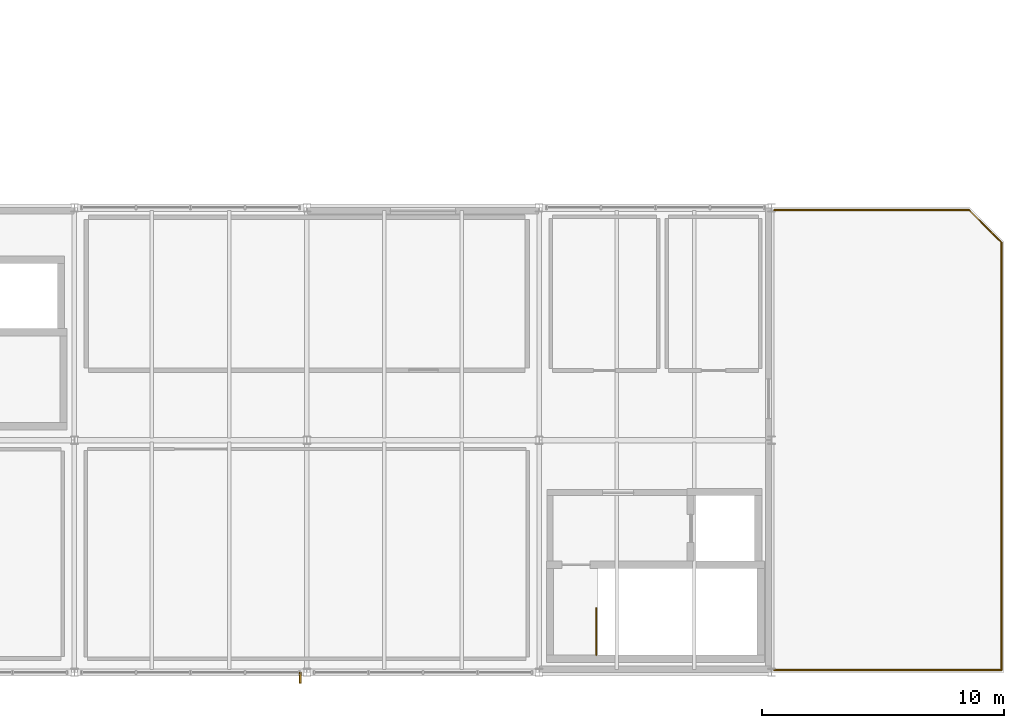
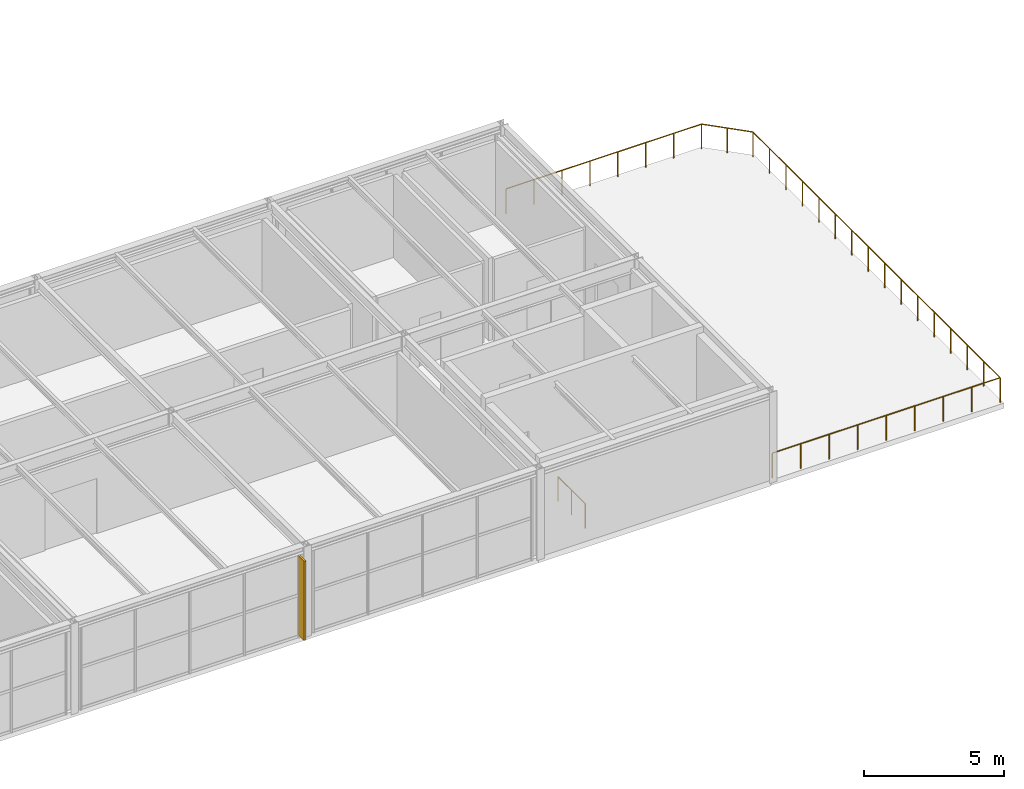
# One storey, part 50 of 50: 5 railings, 1 shading device.
"""IFC4 building model written with IfcOpenShell, lengths in metres."""

from ifc_helpers import new_model, si_unit, direction, frame, origin, origin_2d, place, context, subcontext, project, spatial, rectangle, circle, extrude, material, type_object, element, save


model = new_model("IFC4")

# Units and contexts
model_context = context("Model", 3, precision=1e-05, world=origin(), true_north=direction((0.0, 1.0)))
body_context = subcontext(model_context, "Body", "Model", "MODEL_VIEW")
ifc_project = project(units=[si_unit("LENGTHUNIT", "METRE"), si_unit("AREAUNIT", "SQUARE_METRE"), si_unit("VOLUMEUNIT", "CUBIC_METRE"), si_unit("PLANEANGLEUNIT", "RADIAN"), si_unit("MASSUNIT", "GRAM", prefix="KILO")], contexts=[model_context])

# Site, building, storey
site_placement = place(None, origin())
site = spatial("IfcSite", under=ifc_project, at=site_placement, CompositionType="ELEMENT")
building_placement = place(site_placement, origin())
building = spatial("IfcBuilding", under=site, at=building_placement, Name="Coralgate Yard Interchange", CompositionType="ELEMENT")
storey_placement = place(building_placement, frame((0.0, 0.0, 14.699951171875)))
storey = spatial("IfcBuildingStorey", under=building, at=storey_placement, Name="L03", CompositionType="ELEMENT", Elevation=14.699951171875)

# Railings
ifc_material_1 = material(Name="Grade 316 marine stainless steel and toughened glass balustrade", Category="steel")
railing_type_1 = type_object("IfcRailingType", Name="RLG-GD1100", PredefinedType="BALUSTRADE", material=ifc_material_1)
railing_1_placement = place(storey_placement, frame((79.14990234375, 0.719970703125, 0.0)))
element("IfcRailing", 1, at=railing_1_placement, inside=storey, type_object=railing_type_1, Name="L03 ST-04 top well guard 1", PredefinedType="BALUSTRADE", context=body_context, shape_type="SweptSolid", body=[
    extrude(circle(Radius=0.02392578125, at=origin_2d()), frame((0.0, 0.0, 1.076171875), z_axis=(0.0, 1.0, 0.0), x_axis=(-1.0, 0.0, 0.0)), (0.0, 0.0, 1.0), 1.93994140625),
    extrude(circle(Radius=0.02099609375, at=origin_2d()), origin(), (0.0, 0.0, 1.0), 1.051513671875),
    extrude(circle(Radius=0.02099609375, at=origin_2d()), frame((0.0, 0.969970703125, 0.0)), (0.0, 0.0, 1.0), 1.051513671875),
    extrude(circle(Radius=0.02099609375, at=origin_2d()), frame((0.0, 1.93994140625, 0.0)), (0.0, 0.0, 1.0), 1.051513671875),
])
ifc_material_2 = material(Name="Galvanised and powder-coated steel guardrail", Category="steel")
railing_type_2 = type_object("IfcRailingType", Name="RLG-GR1100", PredefinedType="GUARDRAIL", material=ifc_material_2)
railing_2_placement = place(storey_placement, frame((86.5, 19.10009765625, 0.0)))
element("IfcRailing", 2, at=railing_2_placement, inside=storey, type_object=railing_type_2, Name="L03 coastal veranda perimeter guardrail 2", PredefinedType="GUARDRAIL", context=body_context, shape_type="SweptSolid", body=[
    extrude(circle(Radius=0.02392578125, at=origin_2d()), frame((0.0, 0.0, 1.0810546875), z_axis=(1.0, 0.0, 0.0), x_axis=(0.0, 1.0, 0.0)), (0.0, 0.0, 1.0), 8.05859375),
    extrude(circle(Radius=0.02099609375, at=origin_2d()), origin(), (0.0, 0.0, 1.0), 1.056396484375),
    extrude(circle(Radius=0.02099609375, at=origin_2d()), frame((1.151123046875, 0.0, 0.0)), (0.0, 0.0, 1.0), 1.056396484375),
    extrude(circle(Radius=0.02099609375, at=origin_2d()), frame((2.302490234375, 0.0, 0.0)), (0.0, 0.0, 1.0), 1.056396484375),
    extrude(circle(Radius=0.02099609375, at=origin_2d()), frame((3.45361328125, 0.0, 0.0)), (0.0, 0.0, 1.0), 1.056396484375),
    extrude(circle(Radius=0.02099609375, at=origin_2d()), frame((4.60498046875, 0.0, 0.0)), (0.0, 0.0, 1.0), 1.056396484375),
    extrude(circle(Radius=0.02099609375, at=origin_2d()), frame((5.756103515625, 0.0, 0.0)), (0.0, 0.0, 1.0), 1.056396484375),
    extrude(circle(Radius=0.02099609375, at=origin_2d()), frame((6.907470703125, 0.0, 0.0)), (0.0, 0.0, 1.0), 1.056396484375),
    extrude(circle(Radius=0.02099609375, at=origin_2d()), frame((8.05859375, 0.0, 0.0)), (0.0, 0.0, 1.0), 1.056396484375),
])
railing_3_placement = place(storey_placement, frame((94.55859375, 19.10009765625, 0.0)))
element("IfcRailing", 3, at=railing_3_placement, inside=storey, type_object=railing_type_2, Name="L03 coastal veranda perimeter guardrail 3", PredefinedType="GUARDRAIL", context=body_context, shape_type="SweptSolid", body=[
    extrude(circle(Radius=0.02392578125, at=origin_2d()), frame((0.0, 0.0, 1.0810546875), z_axis=(0.707042431478, -0.70717112504, 0.0), x_axis=(0.70717112504, 0.707042431478, 0.0)), (0.0, 0.0, 1.0), 1.89697265625),
    extrude(circle(Radius=0.02099609375, at=origin_2d()), origin(), (0.0, 0.0, 1.0), 1.056396484375),
    extrude(circle(Radius=0.02099609375, at=origin_2d()), frame((0.670654296875, -0.6708984375, 0.0)), (0.0, 0.0, 1.0), 1.056396484375),
    extrude(circle(Radius=0.02099609375, at=origin_2d()), frame((1.34130859375, -1.341552734375, 0.0)), (0.0, 0.0, 1.0), 1.056396484375),
])
railing_4_placement = place(storey_placement, frame((95.89990234375, 17.758544921875, 0.0)))
element("IfcRailing", 4, at=railing_4_placement, inside=storey, type_object=railing_type_2, Name="L03 coastal veranda perimeter guardrail 4", PredefinedType="GUARDRAIL", context=body_context, shape_type="SweptSolid", body=[
    extrude(circle(Radius=0.02392578125, at=origin_2d()), frame((0.0, 0.0, 1.0810546875), z_axis=(0.0, -1.0, 0.0), x_axis=(1.0, 0.0, 0.0)), (0.0, 0.0, 1.0), 17.658447265625),
    extrude(circle(Radius=0.02099609375, at=origin_2d()), origin(), (0.0, 0.0, 1.0), 1.056396484375),
    extrude(circle(Radius=0.02099609375, at=origin_2d()), frame((0.0, -1.17724609375, 0.0)), (0.0, 0.0, 1.0), 1.056396484375),
    extrude(circle(Radius=0.02099609375, at=origin_2d()), frame((0.0, -2.3544921875, 0.0)), (0.0, 0.0, 1.0), 1.056396484375),
    extrude(circle(Radius=0.02099609375, at=origin_2d()), frame((0.0, -3.53173828125, 0.0)), (0.0, 0.0, 1.0), 1.056396484375),
    extrude(circle(Radius=0.02099609375, at=origin_2d()), frame((0.0, -4.708984375, 0.0)), (0.0, 0.0, 1.0), 1.056396484375),
    extrude(circle(Radius=0.02099609375, at=origin_2d()), frame((0.0, -5.88623046875, 0.0)), (0.0, 0.0, 1.0), 1.056396484375),
    extrude(circle(Radius=0.02099609375, at=origin_2d()), frame((0.0, -7.0634765625, 0.0)), (0.0, 0.0, 1.0), 1.056396484375),
    extrude(circle(Radius=0.02099609375, at=origin_2d()), frame((0.0, -8.24072265625, 0.0)), (0.0, 0.0, 1.0), 1.056396484375),
    extrude(circle(Radius=0.02099609375, at=origin_2d()), frame((0.0, -9.417724609375, 0.0)), (0.0, 0.0, 1.0), 1.056396484375),
    extrude(circle(Radius=0.02099609375, at=origin_2d()), frame((0.0, -10.594970703125, 0.0)), (0.0, 0.0, 1.0), 1.056396484375),
    extrude(circle(Radius=0.02099609375, at=origin_2d()), frame((0.0, -11.772216796875, 0.0)), (0.0, 0.0, 1.0), 1.056396484375),
    extrude(circle(Radius=0.02099609375, at=origin_2d()), frame((0.0, -12.949462890625, 0.0)), (0.0, 0.0, 1.0), 1.056396484375),
    extrude(circle(Radius=0.02099609375, at=origin_2d()), frame((0.0, -14.126708984375, 0.0)), (0.0, 0.0, 1.0), 1.056396484375),
    extrude(circle(Radius=0.02099609375, at=origin_2d()), frame((0.0, -15.303955078125, 0.0)), (0.0, 0.0, 1.0), 1.056396484375),
    extrude(circle(Radius=0.02099609375, at=origin_2d()), frame((0.0, -16.481201171875, 0.0)), (0.0, 0.0, 1.0), 1.056396484375),
    extrude(circle(Radius=0.02099609375, at=origin_2d()), frame((0.0, -17.658447265625, 0.0)), (0.0, 0.0, 1.0), 1.056396484375),
])
railing_5_placement = place(storey_placement, frame((95.89990234375, 0.10009765625, 0.0)))
element("IfcRailing", 5, at=railing_5_placement, inside=storey, type_object=railing_type_2, Name="L03 coastal veranda perimeter guardrail 5", PredefinedType="GUARDRAIL", context=body_context, shape_type="SweptSolid", body=[
    extrude(circle(Radius=0.02392578125, at=origin_2d()), frame((0.0, 0.0, 1.0810546875), z_axis=(-1.0, 0.0, 0.0), x_axis=(0.0, -1.0, 0.0)), (0.0, 0.0, 1.0), 9.39990234375),
    extrude(circle(Radius=0.02099609375, at=origin_2d()), origin(), (0.0, 0.0, 1.0), 1.056396484375),
    extrude(circle(Radius=0.02099609375, at=origin_2d()), frame((-1.175048828125, 0.0, 0.0)), (0.0, 0.0, 1.0), 1.056396484375),
    extrude(circle(Radius=0.02099609375, at=origin_2d()), frame((-2.35009765625, 0.0, 0.0)), (0.0, 0.0, 1.0), 1.056396484375),
    extrude(circle(Radius=0.02099609375, at=origin_2d()), frame((-3.52490234375, 0.0, 0.0)), (0.0, 0.0, 1.0), 1.056396484375),
    extrude(circle(Radius=0.02099609375, at=origin_2d()), frame((-4.699951171875, 0.0, 0.0)), (0.0, 0.0, 1.0), 1.056396484375),
    extrude(circle(Radius=0.02099609375, at=origin_2d()), frame((-5.875, 0.0, 0.0)), (0.0, 0.0, 1.0), 1.056396484375),
    extrude(circle(Radius=0.02099609375, at=origin_2d()), frame((-7.0498046875, 0.0, 0.0)), (0.0, 0.0, 1.0), 1.056396484375),
    extrude(circle(Radius=0.02099609375, at=origin_2d()), frame((-8.224853515625, 0.0, 0.0)), (0.0, 0.0, 1.0), 1.056396484375),
    extrude(circle(Radius=0.02099609375, at=origin_2d()), frame((-9.39990234375, 0.0, 0.0)), (0.0, 0.0, 1.0), 1.056396484375),
])

# Shading device
ifc_material_3 = material(Name="Anodised coastal aluminium vertical brise-soleil blade", Category="aluminium")
shading_device_type = type_object("IfcShadingDeviceType", Name="SHD-BS1", PredefinedType="SHUTTER", material=ifc_material_3)
shading_device_placement = place(storey_placement, frame((66.929931640625, -0.219970703125, 0.10009765625), z_axis=(0.0, 0.0, 1.0), x_axis=(-1.0, 0.0, 0.0)))
element("IfcShadingDevice", 6, at=shading_device_placement, inside=storey, type_object=shading_device_type, Name="L03 coastal aluminium brise-soleil fin S-6-0", PredefinedType="SHUTTER", context=body_context, shape_type="SweptSolid", body=[
    extrude(rectangle(XDim=0.080078125, YDim=0.449951171875, at=origin_2d()), origin(), (0.0, 0.0, 1.0), 3.4599609375),
])

save(model, "model.ifc")
